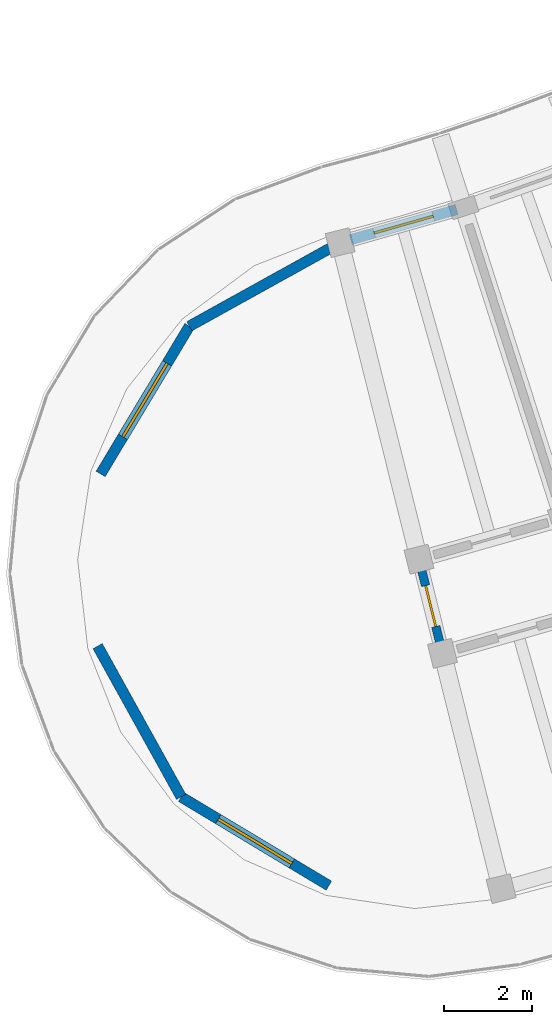
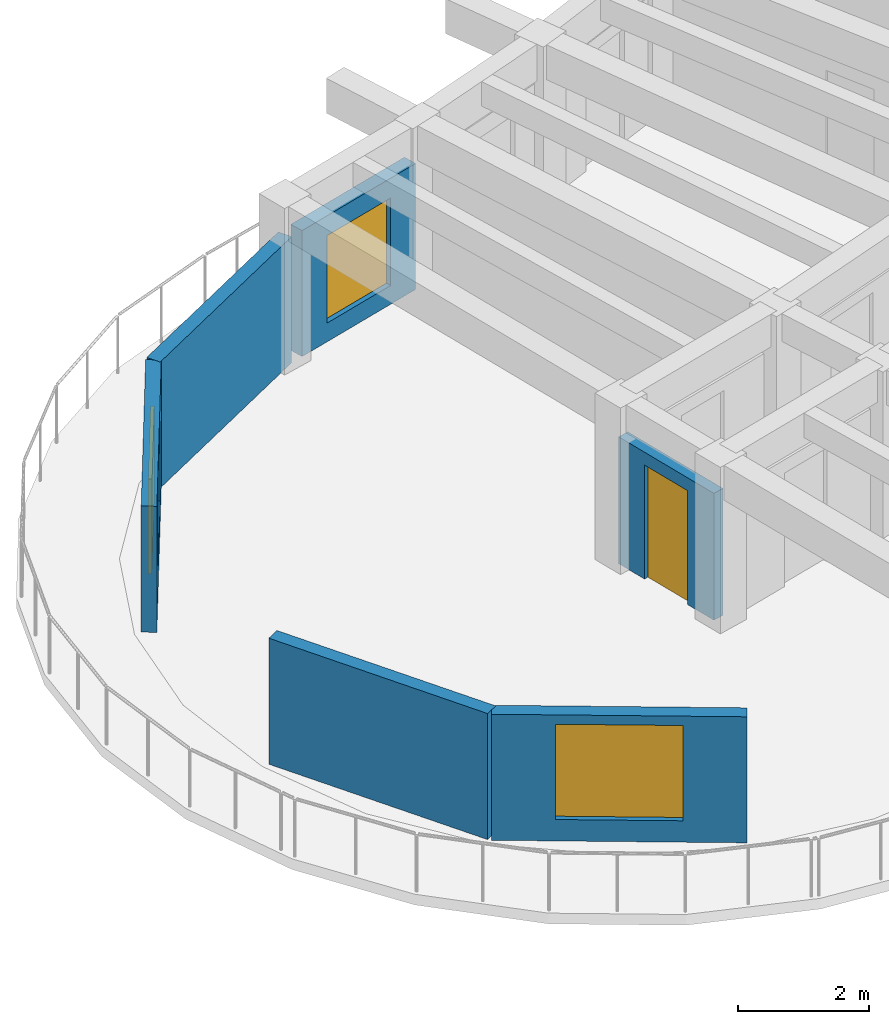
# One storey, part 32 of 69: 6 walls, 3 windows, 1 door, 4 openings.
"""IFC4 building model written with IfcOpenShell, lengths in metres."""

from ifc_helpers import new_model, si_unit, direction, frame, frame_2d, origin, place, context, subcontext, project, spatial, rectangle, extrude, material, layer, layer_set, type_object, element, fill, save


model = new_model("IFC4")

# Units and contexts
model_context = context("Model", 3, precision=1e-05, world=origin(), true_north=direction((0.0, 1.0)))
body_context = subcontext(model_context, "Body", "Model", "MODEL_VIEW")
ifc_project = project(units=[si_unit("LENGTHUNIT", "METRE"), si_unit("AREAUNIT", "SQUARE_METRE"), si_unit("VOLUMEUNIT", "CUBIC_METRE"), si_unit("PLANEANGLEUNIT", "RADIAN"), si_unit("MASSUNIT", "GRAM", prefix="KILO")], contexts=[model_context])

# Site, building, storey
site_placement = place(None, origin())
site = spatial("IfcSite", under=ifc_project, at=site_placement, CompositionType="ELEMENT")
building_placement = place(site_placement, origin())
building = spatial("IfcBuilding", under=site, at=building_placement, Name="Tanwirah Colonnade Gardens", CompositionType="ELEMENT")
storey_placement = place(building_placement, frame((0.0, 0.0, 15.56005859375)))
storey = spatial("IfcBuildingStorey", under=building, at=storey_placement, Name="L04", CompositionType="ELEMENT", Elevation=15.56005859375)

# Wall, opening, window
ifc_material_1 = material(Name="Limestone architectural precast concrete C40/50", Category="masonry")
ifc_layer_1 = layer(ifc_material_1, 0.239990234375)
ifc_layer_set_1 = layer_set([ifc_layer_1], Name="Limestone architectural precast concrete C40/50")
wall_type_1 = type_object("IfcWallType", Name="EW-PC240", PredefinedType="SOLIDWALL", material=ifc_layer_set_1)
wall_1_placement = place(storey_placement, frame((131.993896484375, 21.438720703125, 0.0), z_axis=(0.0, 0.0, 1.0), x_axis=(0.961847744742, 0.273585299195, 0.0)))
wall_1 = element("IfcWall", 1, at=wall_1_placement, inside=storey, type_object=wall_type_1, Name="Block D L04 IN Precast Facade Wall 0", PredefinedType="SOLIDWALL", context=body_context, shape_type="SweptSolid", body=[
    extrude(rectangle(XDim=2.49853515625, YDim=0.239990234375, at=frame_2d((1.249267578125, 0.0))), origin(), (0.0, 0.0, 1.0), 2.35498046875),
])
opening_1_placement = place(wall_1_placement, frame((0.54931640625, 0.0, 0.35009765625)))
opening_1 = element("IfcOpeningElement", 2, at=opening_1_placement, cuts=wall_1, Name="Opening WIN-U07", PredefinedType="OPENING", context=body_context, shape_type="SweptSolid", body=[
    extrude(rectangle(XDim=1.39990234375, YDim=1.635009765625, at=frame_2d((0.699951171875, 0.8173828125))), frame((0.0, 0.1298828125, 0.0), z_axis=(0.0, -1.0, 0.0), x_axis=(1.0, 0.0, 0.0)), (0.0, 0.0, 1.0), 0.260009765625),
])
ifc_material_2 = material(Name="Thermally broken bronze aluminium and solar low-E double glazing", Category="aluminium")
window_type_1 = type_object("IfcWindowType", Name="WIN-U07", PartitioningType="DOUBLE_PANEL_VERTICAL", PredefinedType="WINDOW", material=ifc_material_2)
window_1_placement = place(opening_1_placement, origin())
window_1 = element("IfcWindow", 3, at=window_1_placement, inside=storey, type_object=window_type_1, Name="Facade window D-L04-IN-00", OverallHeight=1.635009765625, OverallWidth=1.39990234375, PartitioningType="SINGLE_PANEL", PredefinedType="WINDOW", context=body_context, shape_type="SweptSolid", body=[
    extrude(rectangle(XDim=1.39990234375, YDim=1.635009765625, at=frame_2d((0.699951171875, 0.8173828125))), frame((0.0, 0.030029296875, 0.0), z_axis=(0.0, -1.0, 0.0), x_axis=(1.0, 0.0, 0.0)), (0.0, 0.0, 1.0), 0.06005859375),
])
fill(opening_1, window_1)

wall_2_placement = place(storey_placement, frame((131.498779296875, 6.787109375, 0.0), z_axis=(0.0, 0.0, 1.0), x_axis=(-0.85715098885, 0.515065221417, 0.0)))
wall_2 = element("IfcWall", 4, at=wall_2_placement, inside=storey, type_object=wall_type_1, Name="Block D L04 START Rounded End Wall 1", PredefinedType="SOLIDWALL", context=body_context, shape_type="SweptSolid", body=[
    extrude(rectangle(XDim=3.908203125, YDim=0.239990234375, at=frame_2d((1.9541015625, 0.0))), origin(), (0.0, 0.0, 1.0), 2.35498046875),
])
opening_2_placement = place(wall_2_placement, frame((0.97900390625, 0.0, 0.39990234375)))
opening_2 = element("IfcOpeningElement", 5, at=opening_2_placement, cuts=wall_2, Name="Opening WIN-END2", PredefinedType="OPENING", context=body_context, shape_type="SweptSolid", body=[
    extrude(rectangle(XDim=1.949951171875, YDim=1.780029296875, at=frame_2d((0.97509765625, 0.89013671875))), frame((0.0, 0.1298828125, 0.0), z_axis=(0.0, -1.0, 0.0), x_axis=(1.0, 0.0, 0.0)), (0.0, 0.0, 1.0), 0.260009765625),
])
window_type_2 = type_object("IfcWindowType", Name="WIN-END2", PartitioningType="TRIPLE_PANEL_VERTICAL", PredefinedType="WINDOW", material=ifc_material_2)
window_2_placement = place(opening_2_placement, origin())
window_2 = element("IfcWindow", 6, at=window_2_placement, inside=storey, type_object=window_type_2, Name="Rounded corner window D-L04-START-1", OverallHeight=1.780029296875, OverallWidth=1.949951171875, PartitioningType="SINGLE_PANEL", PredefinedType="WINDOW", context=body_context, shape_type="SweptSolid", body=[
    extrude(rectangle(XDim=1.949951171875, YDim=1.780029296875, at=frame_2d((0.97509765625, 0.89013671875))), frame((0.0, 0.030029296875, 0.0), z_axis=(0.0, -1.0, 0.0), x_axis=(1.0, 0.0, 0.0)), (0.0, 0.0, 1.0), 0.06005859375),
])
fill(opening_2, window_2)

# Wall
wall_3_placement = place(storey_placement, frame((128.14892578125, 8.800048828125, 0.0), z_axis=(0.0, 0.0, 1.0), x_axis=(-0.484841794757, 0.874601871743, 0.0)))
element("IfcWall", 7, at=wall_3_placement, inside=storey, type_object=wall_type_1, Name="Block D L04 START Rounded End Wall 2", PredefinedType="SOLIDWALL", context=body_context, shape_type="SweptSolid", body=[
    extrude(rectangle(XDim=3.907958984375, YDim=0.239990234375, at=frame_2d((1.9541015625, 0.0))), origin(), (0.0, 0.0, 1.0), 2.35498046875),
])

# Wall, opening, window
wall_4_placement = place(storey_placement, frame((126.322509765625, 16.125732421875, 0.0), z_axis=(0.0, 0.0, 1.0), x_axis=(0.515019321998, 0.857178568309, 0.0)))
wall_4 = element("IfcWall", 8, at=wall_4_placement, inside=storey, type_object=wall_type_1, Name="Block D L04 START Rounded End Wall 4", PredefinedType="SOLIDWALL", context=body_context, shape_type="SweptSolid", body=[
    extrude(rectangle(XDim=3.907958984375, YDim=0.239990234375, at=frame_2d((1.9541015625, 0.0))), origin(), (0.0, 0.0, 1.0), 2.35498046875),
])
opening_3_placement = place(wall_4_placement, frame((0.97900390625, 0.0, 0.39990234375)))
opening_3 = element("IfcOpeningElement", 9, at=opening_3_placement, cuts=wall_4, Name="Opening WIN-END2", PredefinedType="OPENING", context=body_context, shape_type="SweptSolid", body=[
    extrude(rectangle(XDim=1.949951171875, YDim=1.780029296875, at=frame_2d((0.97509765625, 0.89013671875))), frame((0.0, 0.1298828125, 0.0), z_axis=(0.0, -1.0, 0.0), x_axis=(1.0, 0.0, 0.0)), (0.0, 0.0, 1.0), 0.260009765625),
])
window_3_placement = place(opening_3_placement, origin())
window_3 = element("IfcWindow", 10, at=window_3_placement, inside=storey, type_object=window_type_2, Name="Rounded corner window D-L04-START-4", OverallHeight=1.780029296875, OverallWidth=1.949951171875, PartitioningType="SINGLE_PANEL", PredefinedType="WINDOW", context=body_context, shape_type="SweptSolid", body=[
    extrude(rectangle(XDim=1.949951171875, YDim=1.780029296875, at=frame_2d((0.97509765625, 0.89013671875))), frame((0.0, 0.030029296875, 0.0), z_axis=(0.0, -1.0, 0.0), x_axis=(1.0, 0.0, 0.0)), (0.0, 0.0, 1.0), 0.06005859375),
])
fill(opening_3, window_3)

# Wall
wall_5_placement = place(storey_placement, frame((128.335205078125, 19.4755859375, 0.0), z_axis=(0.0, 0.0, 1.0), x_axis=(0.874616555828, 0.48481530532, 0.0)))
element("IfcWall", 11, at=wall_5_placement, inside=storey, type_object=wall_type_1, Name="Block D L04 START Rounded End Wall 5", PredefinedType="SOLIDWALL", context=body_context, shape_type="SweptSolid", body=[
    extrude(rectangle(XDim=3.908203125, YDim=0.239990234375, at=frame_2d((1.9541015625, 0.0))), origin(), (0.0, 0.0, 1.0), 2.35498046875),
])

# Wall, opening, door
ifc_material_3 = material(Name="Precast concrete C40/50", Category="concrete")
ifc_layer_2 = layer(ifc_material_3, 0.195068359375)
ifc_layer_set_2 = layer_set([ifc_layer_2], Name="Precast concrete C40/50")
wall_type_2 = type_object("IfcWallType", Name="IW-CORR195", PredefinedType="PARTITIONING", material=ifc_layer_set_2)
wall_6_placement = place(storey_placement, frame((133.5556640625, 14.1416015625, 0.0), z_axis=(0.0, 0.0, 1.0), x_axis=(0.241933770084, -0.970292765557, 0.0)))
wall_6 = element("IfcWall", 12, at=wall_6_placement, inside=storey, type_object=wall_type_2, Name="Block D L04 CS Corner Suite Corridor Wall", PredefinedType="PARTITIONING", context=body_context, shape_type="SweptSolid", body=[
    extrude(rectangle(XDim=2.10009765625, YDim=0.195068359375, at=frame_2d((1.050048828125, 0.0))), origin(), (0.0, 0.0, 1.0), 2.369873046875),
])
opening_4_placement = place(wall_6_placement, frame((0.570068359375, 0.0, 0.0)))
opening_4 = element("IfcOpeningElement", 13, at=opening_4_placement, cuts=wall_6, Name="Opening L04-CD1836", PredefinedType="OPENING", context=body_context, shape_type="SweptSolid", body=[
    extrude(rectangle(XDim=0.949951171875, YDim=2.1298828125, at=frame_2d((0.47509765625, 1.06494140625))), frame((0.0, 0.107421875, 0.0), z_axis=(0.0, -1.0, 0.0), x_axis=(1.0, 0.0, 0.0)), (0.0, 0.0, 1.0), 0.215087890625),
])
ifc_material_4 = material(Name="Solid oak fire-resisting apartment entrance door")
door_type = type_object("IfcDoorType", Name="ID-FLT095", OperationType="NOTDEFINED", PredefinedType="DOOR", material=ifc_material_4)
door_placement = place(opening_4_placement, origin())
door = element("IfcDoor", 14, at=door_placement, inside=storey, type_object=door_type, Name="Corner suite entrance door L04-CD1836", OperationType="SINGLE_SWING_LEFT", OverallHeight=2.1298828125, OverallWidth=0.949951171875, PredefinedType="DOOR", context=body_context, shape_type="SweptSolid", body=[
    extrude(rectangle(XDim=0.949951171875, YDim=2.1298828125, at=frame_2d((0.47509765625, 1.06494140625))), frame((0.0, 0.02490234375, 0.0), z_axis=(0.0, -1.0, 0.0), x_axis=(1.0, 0.0, 0.0)), (0.0, 0.0, 1.0), 0.050048828125),
])
fill(opening_4, door)

save(model, "model.ifc")
